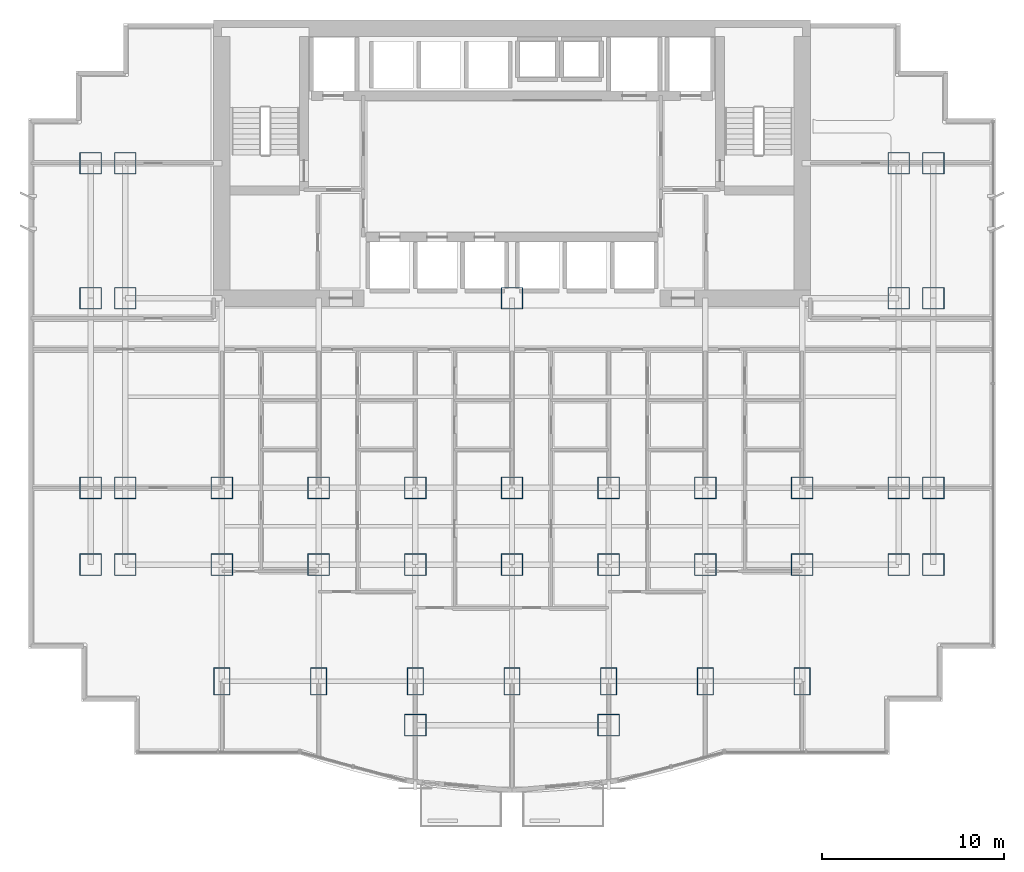
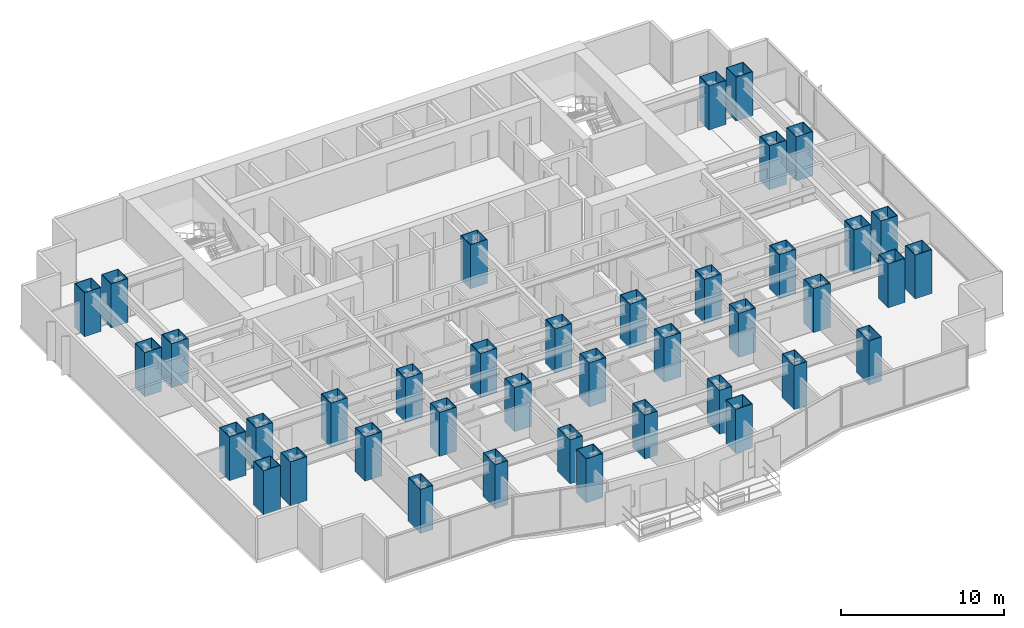
# One storey, part 1 of 12: 40 columns.
"""IFC4 building model written with IfcOpenShell, lengths in metres."""

from ifc_helpers import new_model, si_unit, direction, frame, origin, origin_2d, place, context, subcontext, project, spatial, hollow_rectangle, extrude, material, material_profile, profile_set, type_object, element, save


model = new_model("IFC4")

# Units and contexts
model_context = context("Model", 3, precision=1e-05, world=origin(), true_north=direction((0.0, 1.0)))
body_context = subcontext(model_context, "Body", "Model", "MODEL_VIEW")
ifc_project = project(units=[si_unit("LENGTHUNIT", "METRE"), si_unit("AREAUNIT", "SQUARE_METRE"), si_unit("VOLUMEUNIT", "CUBIC_METRE"), si_unit("PLANEANGLEUNIT", "RADIAN"), si_unit("MASSUNIT", "GRAM", prefix="KILO")], contexts=[model_context])

# Site, building, storey
site_placement = place(None, origin())
site = spatial("IfcSite", under=ifc_project, at=site_placement, CompositionType="ELEMENT")
building_placement = place(site_placement, origin())
building = spatial("IfcBuilding", under=site, at=building_placement, Name="Qianlan Lanfeng Residences", CompositionType="ELEMENT")
storey_placement = place(building_placement, frame((0.0, 0.0, 27.5)))
storey = spatial("IfcBuildingStorey", under=building, at=storey_placement, Name="L06", CompositionType="ELEMENT", Elevation=27.5)

# Columns
ifc_material_1 = material(Name="Steel SM570 (420 MPa)", Category="steel")
ifc_material_profile_1 = material_profile(ifc_material_1, hollow_rectangle(XDim=1.199951171875, YDim=1.199951171875, WallThickness=0.0400390625, at=origin_2d()), Name="BOX 1200x1200x40")
ifc_profile_set_1 = profile_set([ifc_material_profile_1], Name="Steel SM570 (420 MPa)")
column_type_1 = type_object("IfcColumnType", Name="C-B1400", PredefinedType="COLUMN", material=ifc_profile_set_1)
for number, where, z_axis, x_axis, name in (
    (1, (26.5, 25.199951171875, 0.0), (0.0, 0.0, 1.0), (1.0, 0.0, 0.0), "L06 Structural Column CP_26.5_25.2"),
    (2, (10.60009765625, 14.800048828125, 0.0), (0.0, 0.0, 1.0), (1.0, 0.0, 0.0), "L06 Structural Column M_10.60_14.80"),
    (3, (10.60009765625, 10.60009765625, 0.0), (0.0, 0.0, 1.0), (1.0, 0.0, 0.0), "L06 Structural Column G_10.60_10.60"),
    (4, (15.89990234375, 14.800048828125, 0.0), (0.0, 0.0, 1.0), (1.0, 0.0, 0.0), "L06 Structural Column M_15.90_14.80"),
    (5, (15.89990234375, 10.60009765625, 0.0), (0.0, 0.0, 1.0), (1.0, 0.0, 0.0), "L06 Structural Column G_15.90_10.60"),
    (6, (21.199951171875, 14.800048828125, 0.0), (0.0, 0.0, 1.0), (1.0, 0.0, 0.0), "L06 Structural Column M_21.20_14.80"),
    (7, (21.199951171875, 10.60009765625, 0.0), (0.0, 0.0, 1.0), (1.0, 0.0, 0.0), "L06 Structural Column G_21.20_10.60"),
    (8, (26.5, 14.800048828125, 0.0), (0.0, 0.0, 1.0), (1.0, 0.0, 0.0), "L06 Structural Column M_26.50_14.80"),
    (9, (26.5, 10.60009765625, 0.0), (0.0, 0.0, 1.0), (1.0, 0.0, 0.0), "L06 Structural Column G_26.50_10.60"),
    (10, (31.800048828125, 14.800048828125, 0.0), (0.0, 0.0, 1.0), (1.0, 0.0, 0.0), "L06 Structural Column M_31.80_14.80"),
    (11, (31.800048828125, 10.60009765625, 0.0), (0.0, 0.0, 1.0), (1.0, 0.0, 0.0), "L06 Structural Column G_31.80_10.60"),
    (12, (37.10009765625, 14.800048828125, 0.0), (0.0, 0.0, 1.0), (1.0, 0.0, 0.0), "L06 Structural Column M_37.10_14.80"),
    (13, (37.10009765625, 10.60009765625, 0.0), (0.0, 0.0, 1.0), (1.0, 0.0, 0.0), "L06 Structural Column G_37.10_10.60"),
    (14, (42.39990234375, 14.800048828125, 0.0), (0.0, 0.0, 1.0), (1.0, 0.0, 0.0), "L06 Structural Column M_42.40_14.80"),
    (15, (42.39990234375, 10.60009765625, 0.0), (0.0, 0.0, 1.0), (1.0, 0.0, 0.0), "L06 Structural Column G_42.40_10.60"),
    (16, (21.199951171875, 1.800048828125, 0.0), (0.0, 0.0, 1.0), (1.0, 0.0, 0.0), "L06 Structural Column P_21.20_1.80"),
    (17, (31.800048828125, 1.800048828125, 0.0), (0.0, 0.0, 1.0), (1.0, 0.0, 0.0), "L06 Structural Column P_31.80_1.80"),
    (18, (3.39990234375, 10.60009765625, 0.0), (0.0, 0.0, 1.0), (1.0, 0.0, 0.0), "L06 Structural Column W_3.40_10.60"),
    (19, (3.39990234375, 14.800048828125, 0.0), (0.0, 0.0, 1.0), (1.0, 0.0, 0.0), "L06 Structural Column W_3.40_14.80"),
    (20, (3.39990234375, 25.199951171875, 0.0), (0.0, 0.0, 1.0), (1.0, 0.0, 0.0), "L06 Structural Column W_3.40_25.20"),
    (21, (3.39990234375, 32.60009765625, 0.0), (0.0, 0.0, 1.0), (1.0, 0.0, 0.0), "L06 Structural Column W_3.40_32.60"),
    (22, (5.300048828125, 10.60009765625, 0.0), (0.0, 0.0, 1.0), (1.0, 0.0, 0.0), "L06 Structural Column W_5.30_10.60"),
    (23, (5.300048828125, 14.800048828125, 0.0), (0.0, 0.0, 1.0), (1.0, 0.0, 0.0), "L06 Structural Column W_5.30_14.80"),
    (24, (5.300048828125, 25.199951171875, 0.0), (0.0, 0.0, 1.0), (1.0, 0.0, 0.0), "L06 Structural Column W_5.30_25.20"),
    (25, (5.300048828125, 32.60009765625, 0.0), (0.0, 0.0, 1.0), (1.0, 0.0, 0.0), "L06 Structural Column W_5.30_32.60"),
    (26, (47.699951171875, 10.60009765625, 0.0), (0.0, 0.0, 1.0), (1.0, 0.0, 0.0), "L06 Structural Column W_47.70_10.60"),
    (27, (47.699951171875, 14.800048828125, 0.0), (0.0, 0.0, 1.0), (1.0, 0.0, 0.0), "L06 Structural Column W_47.70_14.80"),
    (28, (47.699951171875, 25.199951171875, 0.0), (0.0, 0.0, 1.0), (1.0, 0.0, 0.0), "L06 Structural Column W_47.70_25.20"),
    (29, (47.699951171875, 32.60009765625, 0.0), (0.0, 0.0, 1.0), (1.0, 0.0, 0.0), "L06 Structural Column W_47.70_32.60"),
    (30, (49.60009765625, 10.60009765625, 0.0), (0.0, 0.0, 1.0), (1.0, 0.0, 0.0), "L06 Structural Column W_49.60_10.60"),
    (31, (49.60009765625, 14.800048828125, 0.0), (0.0, 0.0, 1.0), (1.0, 0.0, 0.0), "L06 Structural Column W_49.60_14.80"),
    (32, (49.60009765625, 25.199951171875, 0.0), (0.0, 0.0, 1.0), (1.0, 0.0, 0.0), "L06 Structural Column W_49.60_25.20"),
    (33, (49.60009765625, 32.60009765625, 0.0), (0.0, 0.0, 1.0), (1.0, 0.0, 0.0), "L06 Structural Column W_49.60_32.60"),
):
    element("IfcColumn", number, at=place(storey_placement, frame(where, z_axis=z_axis, x_axis=x_axis)), inside=storey, type_object=column_type_1, Name=name, PredefinedType="COLUMN", context=body_context, shape_type="SweptSolid", body=[
        extrude(hollow_rectangle(XDim=1.199951171875, YDim=1.199951171875, WallThickness=0.0400390625, at=origin_2d()), origin(), (0.0, 0.0, 1.0), 3.300048828125),
    ])
ifc_material_2 = material(Name="Steel SN490B", Category="steel")
ifc_material_profile_2 = material_profile(ifc_material_2, hollow_rectangle(XDim=0.89990234375, YDim=1.5, WallThickness=0.035888671875, at=origin_2d()), Name="BOX 1500x900x36")
ifc_profile_set_2 = profile_set([ifc_material_profile_2], Name="Steel SN490B")
column_type_2 = type_object("IfcColumnType", Name="CE-B1250", PredefinedType="COLUMN", material=ifc_profile_set_2)
for number, where, z_axis, x_axis, name in (
    (34, (10.60009765625, 4.199951171875, 0.0), (0.0, 0.0, 1.0), (1.0, 0.0, 0.0), "L06 Structural Column S_10.60_4.20"),
    (35, (15.89990234375, 4.199951171875, 0.0), (0.0, 0.0, 1.0), (1.0, 0.0, 0.0), "L06 Structural Column S_15.90_4.20"),
    (36, (21.199951171875, 4.199951171875, 0.0), (0.0, 0.0, 1.0), (1.0, 0.0, 0.0), "L06 Structural Column S_21.20_4.20"),
    (37, (26.5, 4.199951171875, 0.0), (0.0, 0.0, 1.0), (1.0, 0.0, 0.0), "L06 Structural Column S_26.50_4.20"),
    (38, (31.800048828125, 4.199951171875, 0.0), (0.0, 0.0, 1.0), (1.0, 0.0, 0.0), "L06 Structural Column S_31.80_4.20"),
    (39, (37.10009765625, 4.199951171875, 0.0), (0.0, 0.0, 1.0), (1.0, 0.0, 0.0), "L06 Structural Column S_37.10_4.20"),
    (40, (42.39990234375, 4.199951171875, 0.0), (0.0, 0.0, 1.0), (1.0, 0.0, 0.0), "L06 Structural Column S_42.40_4.20"),
):
    element("IfcColumn", number, at=place(storey_placement, frame(where, z_axis=z_axis, x_axis=x_axis)), inside=storey, type_object=column_type_2, Name=name, PredefinedType="COLUMN", context=body_context, shape_type="SweptSolid", body=[
        extrude(hollow_rectangle(XDim=0.89990234375, YDim=1.5, WallThickness=0.035888671875, at=origin_2d()), origin(), (0.0, 0.0, 1.0), 3.300048828125),
    ])

save(model, "model.ifc")
